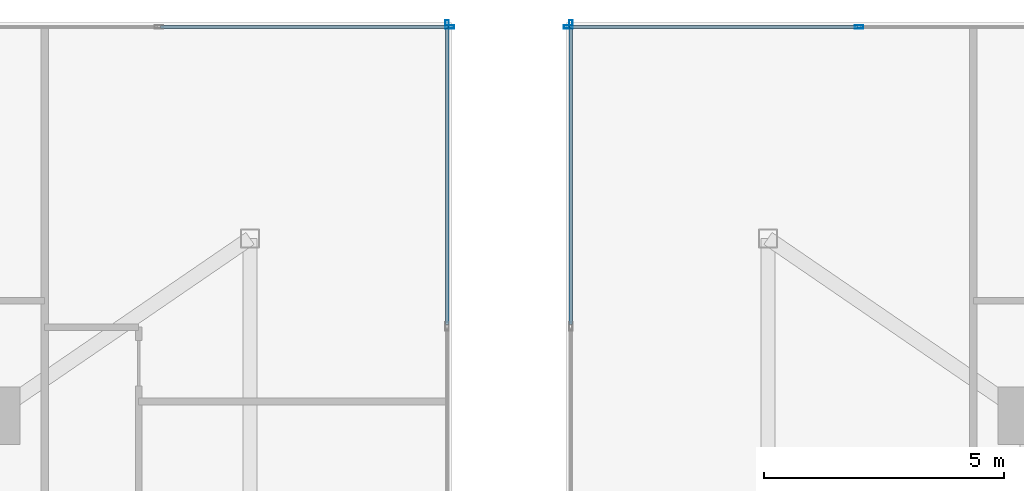
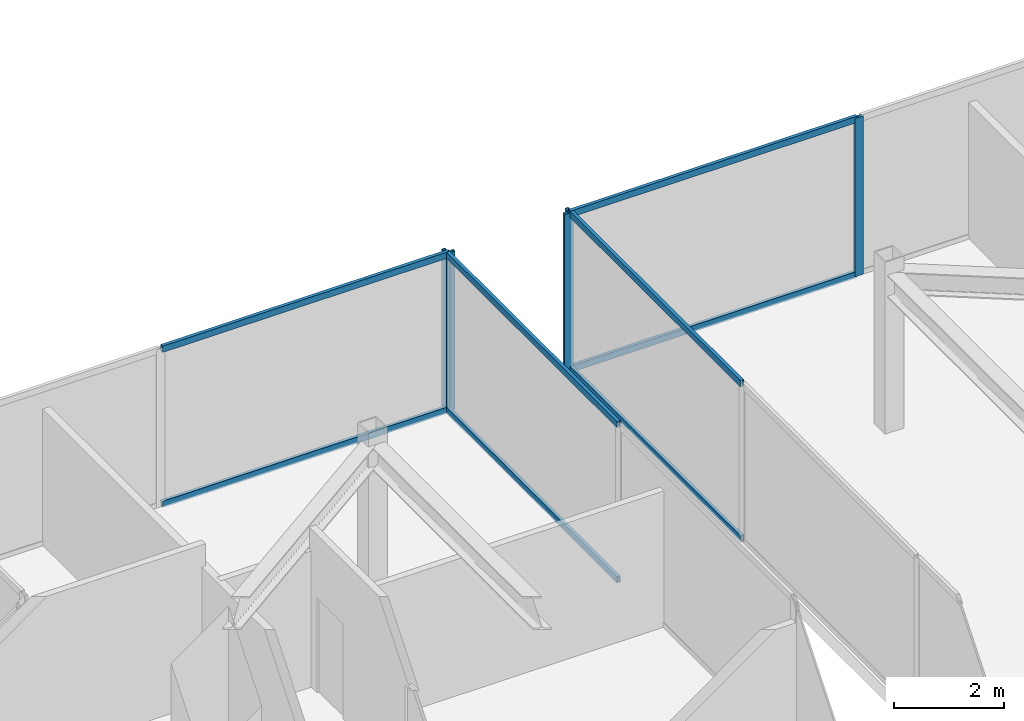
# One storey, part 20 of 25: 13 members, 4 elements without a shape of their own.
"""IFC4 building model written with IfcOpenShell, lengths in metres."""

from ifc_helpers import new_model, si_unit, direction, frame, origin, origin_2d, place, context, subcontext, project, spatial, hollow_rectangle, extrude, source, transform, mapped, material, material_profile, profile_set, type_object, type_shapes, element, aggregate, save


model = new_model("IFC4")

# Units and contexts
model_context = context("Model", 3, precision=1e-05, world=origin(), true_north=direction((0.0, 1.0)))
body_context = subcontext(model_context, "Body", "Model", "MODEL_VIEW")
ifc_project = project(units=[si_unit("LENGTHUNIT", "METRE"), si_unit("AREAUNIT", "SQUARE_METRE"), si_unit("VOLUMEUNIT", "CUBIC_METRE"), si_unit("PLANEANGLEUNIT", "RADIAN"), si_unit("MASSUNIT", "GRAM", prefix="KILO")], contexts=[model_context])

# Site, building, storey
site_placement = place(None, origin())
site = spatial("IfcSite", under=ifc_project, at=site_placement, CompositionType="ELEMENT")
building_placement = place(site_placement, origin())
building = spatial("IfcBuilding", under=site, at=building_placement, Name="Krantzveldt Concourse Tower", CompositionType="ELEMENT")
storey_placement = place(building_placement, frame((0.0, 0.0, 367.050048828125)))
storey = spatial("IfcBuildingStorey", under=building, at=storey_placement, Name="L90", CompositionType="ELEMENT", Elevation=367.050048828125)

# Curtain wall, member
ifc_material = material(Name="Anodised aluminium 6063-T6", Category="aluminium")
curtain_wall_type = type_object("IfcCurtainWallType", Name="CW7", PredefinedType="USERDEFINED", material=ifc_material)
curtain_wall_1_placement = place(storey_placement, origin())
curtain_wall_1 = element("IfcCurtainWall", 1, at=curtain_wall_1_placement, inside=storey, type_object=curtain_wall_type, Name="CW-L90-WEST-01", ObjectType="UNITISED CURTAIN WALL", PredefinedType="USERDEFINED")
ifc_material_profile_1 = material_profile(ifc_material, hollow_rectangle(XDim=0.070068359375, YDim=0.179931640625, WallThickness=0.0048828125, at=origin_2d()), Name="Anodised aluminium 6063-T6", Category="aluminium")
ifc_profile_set_1 = profile_set([ifc_material_profile_1], Name="Anodised aluminium 6063-T6 - ALU-MULL 180x70x5")
member_type_1 = type_object("IfcMemberType", Name="CW-MUL-180", PredefinedType="MULLION", material=ifc_profile_set_1)
shared_shape_1 = source(origin(), body_context, "Body", "SweptSolid", [
    extrude(hollow_rectangle(XDim=0.070068359375, YDim=0.179931640625, WallThickness=0.0048828125, at=origin_2d()), origin(), (0.0, 0.0, 1.0), 3.5),
])
type_shapes(member_type_1, [shared_shape_1])
member_1_placement = place(storey_placement, frame((34.7099609375, 45.6650390625, 0.0), z_axis=(0.0, 0.0, 1.0), x_axis=(-1.0, 0.0, 0.0)))
member_1 = element("IfcMember", 2, at=member_1_placement, type_object=member_type_1, Name="CW-CRN mullion 7", PredefinedType="MULLION", context=body_context, shape_type="MappedRepresentation", body=[
    mapped(shared_shape_1, transform((0.0, 0.0, 0.0), x_axis=(1.0, 0.0, 0.0), y_axis=(0.0, 1.0, 0.0), z_axis=(0.0, 0.0, 1.0), scale=1.0)),
])

curtain_wall_2_placement = place(storey_placement, origin())
curtain_wall_2 = element("IfcCurtainWall", 3, at=curtain_wall_2_placement, inside=storey, type_object=curtain_wall_type, Name="CW-L90-WEST-02", ObjectType="UNITISED CURTAIN WALL", PredefinedType="USERDEFINED")
member_2_placement = place(storey_placement, frame((34.764892578125, 45.610107421875, 0.0), z_axis=(0.0, 0.0, 1.0), x_axis=(0.0, -1.0, 0.0)))
member_2 = element("IfcMember", 4, at=member_2_placement, type_object=member_type_1, Name="CW-CRN mullion 1", PredefinedType="MULLION", context=body_context, shape_type="MappedRepresentation", body=[
    mapped(shared_shape_1, transform((0.0, 0.0, 0.0), x_axis=(1.0, 0.0, 0.0), y_axis=(0.0, 1.0, 0.0), z_axis=(0.0, 0.0, 1.0), scale=1.0)),
])

# Curtain wall, members
curtain_wall_3_placement = place(storey_placement, origin())
curtain_wall_3 = element("IfcCurtainWall", 5, at=curtain_wall_3_placement, inside=storey, type_object=curtain_wall_type, Name="CW-L90-EAST-06", ObjectType="UNITISED CURTAIN WALL", PredefinedType="USERDEFINED")
member_3_placement = place(storey_placement, frame((43.300048828125, 45.610107421875, 0.0), z_axis=(0.0, 0.0, 1.0), x_axis=(0.0, -1.0, 0.0)))
member_3 = element("IfcMember", 6, at=member_3_placement, type_object=member_type_1, Name="CW-CRN mullion 2", PredefinedType="MULLION", context=body_context, shape_type="MappedRepresentation", body=[
    mapped(shared_shape_1, transform((0.0, 0.0, 0.0), x_axis=(1.0, 0.0, 0.0), y_axis=(0.0, 1.0, 0.0), z_axis=(0.0, 0.0, 1.0), scale=1.0)),
])
member_4_placement = place(storey_placement, frame((37.235107421875, 45.610107421875, 0.0), z_axis=(0.0, 0.0, 1.0), x_axis=(0.0, -1.0, 0.0)))
member_4 = element("IfcMember", 7, at=member_4_placement, type_object=member_type_1, Name="CW-CRN mullion 3", PredefinedType="MULLION", context=body_context, shape_type="MappedRepresentation", body=[
    mapped(shared_shape_1, transform((0.0, 0.0, 0.0), x_axis=(1.0, 0.0, 0.0), y_axis=(0.0, 1.0, 0.0), z_axis=(0.0, 0.0, 1.0), scale=1.0)),
])

# Curtain wall, member
curtain_wall_4_placement = place(storey_placement, origin())
curtain_wall_4 = element("IfcCurtainWall", 8, at=curtain_wall_4_placement, inside=storey, type_object=curtain_wall_type, Name="CW-L90-EAST-07", ObjectType="UNITISED CURTAIN WALL", PredefinedType="USERDEFINED")
member_5_placement = place(storey_placement, frame((37.2900390625, 45.6650390625, 0.0), z_axis=(0.0, 0.0, 1.0), x_axis=(1.0, 0.0, 0.0)))
member_5 = element("IfcMember", 9, at=member_5_placement, type_object=member_type_1, Name="CW-CRN mullion 1", PredefinedType="MULLION", context=body_context, shape_type="MappedRepresentation", body=[
    mapped(shared_shape_1, transform((0.0, 0.0, 0.0), x_axis=(1.0, 0.0, 0.0), y_axis=(0.0, 1.0, 0.0), z_axis=(0.0, 0.0, 1.0), scale=1.0)),
])

# Member
ifc_material_profile_2 = material_profile(ifc_material, hollow_rectangle(XDim=0.070068359375, YDim=0.139892578125, WallThickness=0.0048828125, at=origin_2d()), Name="Anodised aluminium 6063-T6", Category="aluminium")
ifc_profile_set_2 = profile_set([ifc_material_profile_2], Name="Anodised aluminium 6063-T6 - ALU-TRAN 140x70x5")
member_type_2 = type_object("IfcMemberType", Name="CW-TRN-150", PredefinedType="USERDEFINED", material=ifc_profile_set_2)
shared_shape_2 = source(origin(), body_context, "Body", "SweptSolid", [
    extrude(hollow_rectangle(XDim=0.070068359375, YDim=0.139892578125, WallThickness=0.0048828125, at=origin_2d()), origin(), (0.0, 0.0, 1.0), 5.994873046875),
])
member_6_placement = place(storey_placement, frame((34.72998046875, 45.610107421875, 0.034912109375), z_axis=(-1.0, 0.0, 0.0), x_axis=(0.0, -1.0, 0.0)))
member_6 = element("IfcMember", 10, at=member_6_placement, type_object=member_type_2, Name="CW-CRN transom 1.1", ObjectType="TRANSOM", PredefinedType="USERDEFINED", context=body_context, shape_type="MappedRepresentation", body=[
    mapped(shared_shape_2, transform((0.0, 0.0, 0.0), x_axis=(1.0, 0.0, 0.0), y_axis=(0.0, 1.0, 0.0), z_axis=(0.0, 0.0, 1.0), scale=1.0)),
])

member_7_placement = place(storey_placement, frame((34.72998046875, 45.610107421875, 3.46484375), z_axis=(-1.0, 0.0, 0.0), x_axis=(0.0, -1.0, 0.0)))
member_7 = element("IfcMember", 11, at=member_7_placement, type_object=member_type_2, Name="CW-CRN transom 1.2", ObjectType="TRANSOM", PredefinedType="USERDEFINED", context=body_context, shape_type="MappedRepresentation", body=[
    mapped(shared_shape_2, transform((0.0, 0.0, 0.0), x_axis=(1.0, 0.0, 0.0), y_axis=(0.0, 1.0, 0.0), z_axis=(0.0, 0.0, 1.0), scale=1.0)),
])

aggregate(curtain_wall_2, [member_2, member_6, member_7])

member_8_placement = place(storey_placement, frame((43.264892578125, 45.610107421875, 0.034912109375), z_axis=(-1.0, 0.0, 0.0), x_axis=(0.0, -1.0, 0.0)))
member_8 = element("IfcMember", 12, at=member_8_placement, type_object=member_type_2, Name="CW-CRN transom 2.1", ObjectType="TRANSOM", PredefinedType="USERDEFINED", context=body_context, shape_type="MappedRepresentation", body=[
    mapped(shared_shape_2, transform((0.0, 0.0, 0.0), x_axis=(1.0, 0.0, 0.0), y_axis=(0.0, 1.0, 0.0), z_axis=(0.0, 0.0, 1.0), scale=1.0)),
])

member_9_placement = place(storey_placement, frame((43.264892578125, 45.610107421875, 3.46484375), z_axis=(-1.0, 0.0, 0.0), x_axis=(0.0, -1.0, 0.0)))
member_9 = element("IfcMember", 13, at=member_9_placement, type_object=member_type_2, Name="CW-CRN transom 2.2", ObjectType="TRANSOM", PredefinedType="USERDEFINED", context=body_context, shape_type="MappedRepresentation", body=[
    mapped(shared_shape_2, transform((0.0, 0.0, 0.0), x_axis=(1.0, 0.0, 0.0), y_axis=(0.0, 1.0, 0.0), z_axis=(0.0, 0.0, 1.0), scale=1.0)),
])

aggregate(curtain_wall_3, [member_3, member_4, member_8, member_9])

shared_shape_3 = source(origin(), body_context, "Body", "SweptSolid", [
    extrude(hollow_rectangle(XDim=0.070068359375, YDim=0.139892578125, WallThickness=0.0048828125, at=origin_2d()), origin(), (0.0, 0.0, 1.0), 6.228271484375),
])
type_shapes(member_type_2, [shared_shape_2, shared_shape_3])
member_10_placement = place(storey_placement, frame((34.7099609375, 39.401611328125, 0.034912109375), z_axis=(0.0, 1.0, 0.0), x_axis=(-1.0, 0.0, 0.0)))
member_10 = element("IfcMember", 14, at=member_10_placement, type_object=member_type_2, Name="CW-CRN transom 6.1", ObjectType="TRANSOM", PredefinedType="USERDEFINED", context=body_context, shape_type="MappedRepresentation", body=[
    mapped(shared_shape_3, transform((0.0, 0.0, 0.0), x_axis=(1.0, 0.0, 0.0), y_axis=(0.0, 1.0, 0.0), z_axis=(0.0, 0.0, 1.0), scale=1.0)),
])

member_11_placement = place(storey_placement, frame((34.7099609375, 39.401611328125, 3.46484375), z_axis=(0.0, 1.0, 0.0), x_axis=(-1.0, 0.0, 0.0)))
member_11 = element("IfcMember", 15, at=member_11_placement, type_object=member_type_2, Name="CW-CRN transom 6.2", ObjectType="TRANSOM", PredefinedType="USERDEFINED", context=body_context, shape_type="MappedRepresentation", body=[
    mapped(shared_shape_3, transform((0.0, 0.0, 0.0), x_axis=(1.0, 0.0, 0.0), y_axis=(0.0, 1.0, 0.0), z_axis=(0.0, 0.0, 1.0), scale=1.0)),
])

aggregate(curtain_wall_1, [member_1, member_10, member_11])

member_12_placement = place(storey_placement, frame((37.2900390625, 45.6298828125, 0.034912109375), z_axis=(0.0, -1.0, 0.0), x_axis=(1.0, 0.0, 0.0)))
member_12 = element("IfcMember", 16, at=member_12_placement, type_object=member_type_2, Name="CW-CRN transom 1.1", ObjectType="TRANSOM", PredefinedType="USERDEFINED", context=body_context, shape_type="MappedRepresentation", body=[
    mapped(shared_shape_3, transform((0.0, 0.0, 0.0), x_axis=(1.0, 0.0, 0.0), y_axis=(0.0, 1.0, 0.0), z_axis=(0.0, 0.0, 1.0), scale=1.0)),
])

member_13_placement = place(storey_placement, frame((37.2900390625, 45.6298828125, 3.46484375), z_axis=(0.0, -1.0, 0.0), x_axis=(1.0, 0.0, 0.0)))
member_13 = element("IfcMember", 17, at=member_13_placement, type_object=member_type_2, Name="CW-CRN transom 1.2", ObjectType="TRANSOM", PredefinedType="USERDEFINED", context=body_context, shape_type="MappedRepresentation", body=[
    mapped(shared_shape_3, transform((0.0, 0.0, 0.0), x_axis=(1.0, 0.0, 0.0), y_axis=(0.0, 1.0, 0.0), z_axis=(0.0, 0.0, 1.0), scale=1.0)),
])

aggregate(curtain_wall_4, [member_5, member_12, member_13])

save(model, "model.ifc")
